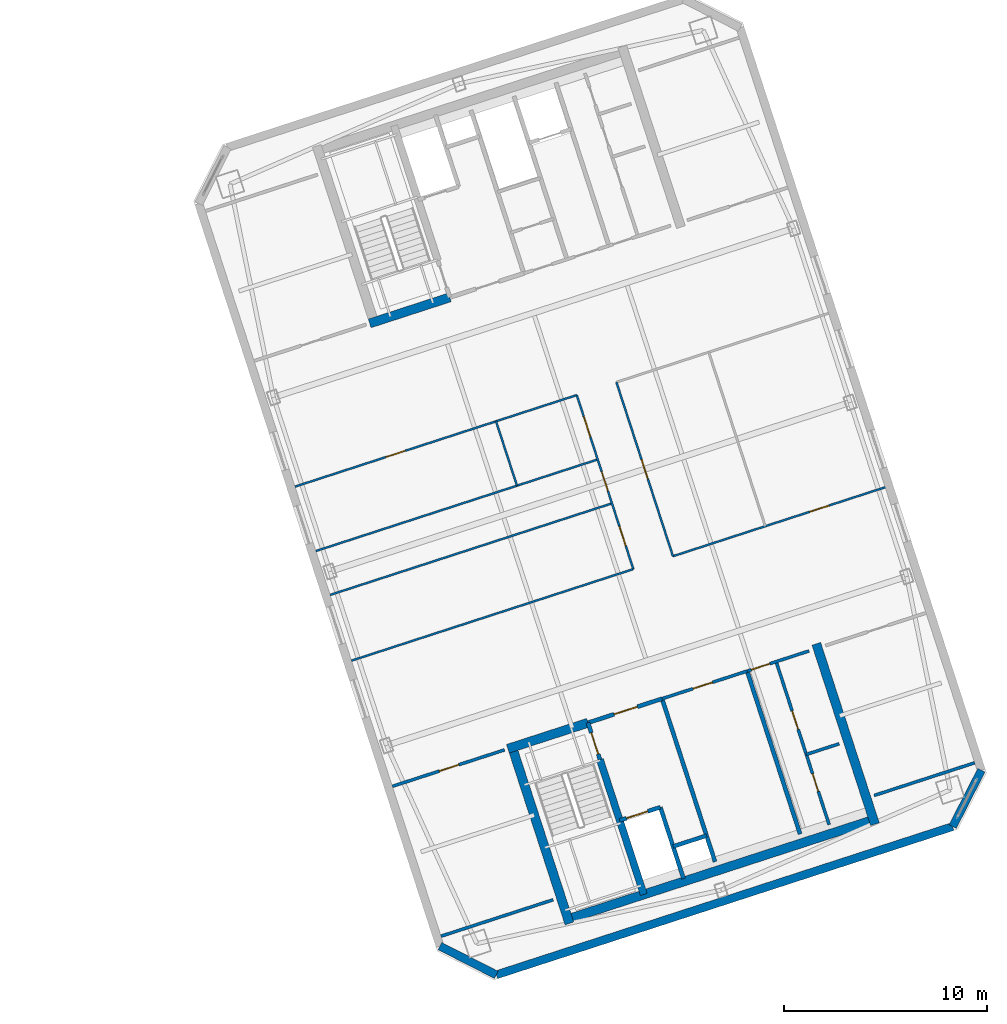
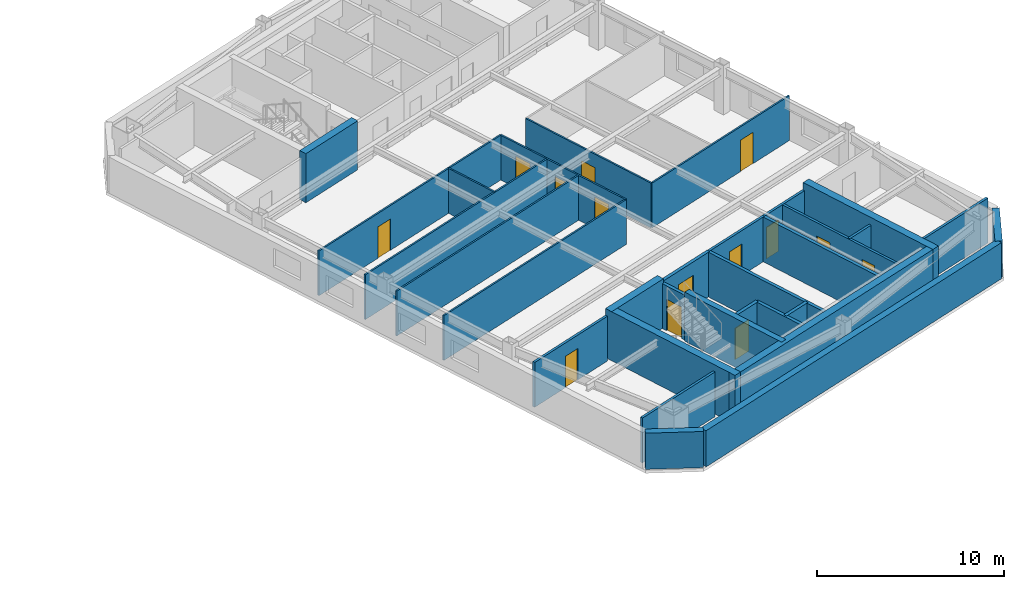
# One storey, part 15 of 20: 31 walls, 14 doors, 14 openings.
"""IFC4 building model written with IfcOpenShell, lengths in metres."""

import ifcopenshell
import ifcopenshell.guid

model = None  # the IFC model being written
_history = None  # IfcOwnerHistory: only IFC2X3 demands one
_inside = {}  # id of a spatial element -> (the spatial element, [elements in it])
_under = {}  # id of a project, library or spatial element -> (it, [spatial elements below it])
_declared = {}  # id of a project -> (the project, [libraries it declares])
_typed = {}  # id of a type object -> (the type object, [elements of that type])
_made_of = {}  # id of a material, layer set ... -> (it, [elements and type objects made of it])


def new_model(schema):
    """Start an empty IFC model of exactly this schema.

    Asked for "IFC4X3", IfcOpenShell would pick the latest addendum, in which some entities
    have other attributes; the version numbers below select the first issue.
    IFC2X3 requires an IfcOwnerHistory on every rooted entity: one is made here for all.
    """
    global model, _history
    if schema == "IFC4X3":
        model = ifcopenshell.file(schema_version=(4, 3, 0, 0))
    else:
        model = ifcopenshell.file(schema=schema)
    _inside.clear()
    _under.clear()
    _declared.clear()
    _typed.clear()
    _made_of.clear()
    _history = None
    if model.schema == "IFC2X3":
        org = make("IfcOrganization", Name="unknown")
        user = make(
            "IfcPersonAndOrganization",
            ThePerson=make("IfcPerson", FamilyName="unknown"),
            TheOrganization=org,
        )
        app = make(
            "IfcApplication",
            ApplicationDeveloper=org,
            Version="unknown",
            ApplicationFullName="unknown",
            ApplicationIdentifier="unknown",
        )
        _history = make(
            "IfcOwnerHistory",
            OwningUser=user,
            OwningApplication=app,
            ChangeAction="ADDED",
            CreationDate=0,
        )
    return model


def make(cls, **values):
    """One entity of the class cls with the attributes given. An attribute that is None is left unset."""
    return model.create_entity(
        cls, **{name: value for name, value in values.items() if value is not None}
    )


def rooted(cls, **values):
    """An entity with a GlobalId (a new one), such as an element, a storey or a relation."""
    return make(cls, GlobalId=ifcopenshell.guid.new(), OwnerHistory=_history, **values)


def si_unit(unit_type, name, prefix=None):
    """IfcSIUnit, for example si_unit("LENGTHUNIT", "METRE", prefix="MILLI")."""
    return make("IfcSIUnit", UnitType=unit_type, Prefix=prefix, Name=name)


def assignment(units):
    """IfcUnitAssignment: the units of a project."""
    return None if units is None else make("IfcUnitAssignment", Units=units)


def point(xyz):
    """IfcCartesianPoint."""
    return None if xyz is None else make("IfcCartesianPoint", Coordinates=xyz)


def direction(xyz):
    """IfcDirection."""
    return None if xyz is None else make("IfcDirection", DirectionRatios=xyz)


def frame(location, z_axis=None, x_axis=None):
    """IfcAxis2Placement3D, a coordinate frame: its origin and axes. An axis left out is left unset."""
    return make(
        "IfcAxis2Placement3D",
        Location=point(location),
        Axis=direction(z_axis),
        RefDirection=direction(x_axis),
    )


def frame_2d(location, x_axis=None):
    """IfcAxis2Placement2D, a coordinate frame in the plane: its origin and x axis."""
    return make(
        "IfcAxis2Placement2D", Location=point(location), RefDirection=direction(x_axis)
    )


def origin():
    """The frame at (0, 0, 0) with its axes left unset."""
    return frame((0.0, 0.0, 0.0))


def place(relative_to, where):
    """IfcLocalPlacement: puts the frame where relative to a parent placement (None: the world)."""
    return make(
        "IfcLocalPlacement", PlacementRelTo=relative_to, RelativePlacement=where
    )


def context(
    kind, dimensions, precision=None, world=None, true_north=None, identifier=None
):
    """IfcGeometricRepresentationContext, for example the 3D "Model" context."""
    return make(
        "IfcGeometricRepresentationContext",
        ContextIdentifier=identifier,
        ContextType=kind,
        CoordinateSpaceDimension=dimensions,
        Precision=precision,
        WorldCoordinateSystem=world,
        TrueNorth=true_north,
    )


def subcontext(parent, identifier, kind, view, scale=None):
    """IfcGeometricRepresentationSubContext, for example "Body" below "Model"."""
    return make(
        "IfcGeometricRepresentationSubContext",
        ContextIdentifier=identifier,
        ContextType=kind,
        ParentContext=parent,
        TargetScale=scale,
        TargetView=view,
    )


def project(units=None, contexts=None):
    """IfcProject with its units and contexts."""
    return rooted(
        "IfcProject",
        Name="project",
        RepresentationContexts=contexts,
        UnitsInContext=assignment(units),
    )


def spatial(cls, under=None, at=None, **own):
    """A site, building, storey or space (cls), placed at a placement, below another one or the project."""
    s = rooted(cls, ObjectPlacement=at, **own)
    if under is not None:
        _under.setdefault(under.id(), (under, []))[1].append(s)
    return s


def profile(cls, at=None, kind="AREA", **sizes):
    """A parametric profile (cls). Its sizes go by their IFC names, for example OverallWidth=200.0."""
    return make(cls, ProfileType=kind, Position=at, **sizes)


def rectangle(**sizes):
    """IfcRectangleProfileDef."""
    return profile("IfcRectangleProfileDef", **sizes)


def extrude(swept, where, along, depth):
    """IfcExtrudedAreaSolid: the profile swept, set in the frame where, extruded along a direction by depth."""
    return make(
        "IfcExtrudedAreaSolid",
        SweptArea=swept,
        Position=where,
        ExtrudedDirection=direction(along),
        Depth=depth,
    )


def shape(context_of_items, identifier, shape_type, items):
    """IfcShapeRepresentation: the items that make up one representation, for example the "Body"."""
    return make(
        "IfcShapeRepresentation",
        ContextOfItems=context_of_items,
        RepresentationIdentifier=identifier,
        RepresentationType=shape_type,
        Items=items,
    )


def material(Name=None, Category=None):
    """IfcMaterial."""
    return make("IfcMaterial", Name=Name, Category=Category)


def layer(
    of_material, thickness, ventilated=None, Name=None, Category=None, Priority=None
):
    """IfcMaterialLayer: one layer of a wall or slab, of a material (None: an air gap)."""
    return make(
        "IfcMaterialLayer",
        Material=of_material,
        LayerThickness=thickness,
        IsVentilated=ventilated,
        Name=Name,
        Category=Category,
        Priority=Priority,
    )


def layer_set(layers, Name=None):
    """IfcMaterialLayerSet."""
    return make("IfcMaterialLayerSet", MaterialLayers=layers, LayerSetName=Name)


def made_of(thing, what):
    """Note that an element or type object is made of a material, layer set ...; save() writes the relation."""
    if what is not None:
        _made_of.setdefault(what.id(), (what, []))[1].append(thing)
    return thing


def type_object(cls, material=None, **own):
    """A type object (cls), such as IfcWallType, which elements share."""
    return made_of(rooted(cls, **own), material)


def element(
    cls,
    number,
    at=None,
    inside=None,
    cuts=None,
    type_object=None,
    material=None,
    context=None,
    identifier="Body",
    shape_type=None,
    held_by="IfcProductDefinitionShape",
    body=None,
    shapes=None,
    **own,
):
    """One element of the class cls, such as IfcWall. Its Tag is "e" and its number.

    at: its placement. inside: the storey or other place that contains it. cuts: it is an
    opening in that element (IfcRelVoidsElement). A single representation is given by context,
    identifier, shape_type and body (its items); several are given by shapes. held_by: the class
    of the entity that holds the representations. save() writes the other relations.
    """
    e = rooted(cls, Tag="e%d" % number, ObjectPlacement=at, **own)
    if body is not None:
        shapes = [shape(context, identifier, shape_type, body)]
    if shapes is not None:
        e.Representation = make(held_by, Representations=shapes)
    if inside is not None:
        _inside.setdefault(inside.id(), (inside, []))[1].append(e)
    if cuts is not None:
        rooted(
            "IfcRelVoidsElement", RelatingBuildingElement=cuts, RelatedOpeningElement=e
        )
    if type_object is not None:
        _typed.setdefault(type_object.id(), (type_object, []))[1].append(e)
    return made_of(e, material)


def fill(opening, filler):
    """IfcRelFillsElement: the door or window that sits in an opening."""
    return rooted(
        "IfcRelFillsElement",
        RelatingOpeningElement=opening,
        RelatedBuildingElement=filler,
    )


def aggregate(whole, parts):
    """IfcRelAggregates: a whole, such as a stair, and the parts it consists of."""
    return rooted("IfcRelAggregates", RelatingObject=whole, RelatedObjects=parts)


def save(model, path):
    """Write the relations noted so far, then the file.

    IfcRelAggregates (storeys below a building ...), IfcRelContainedInSpatialStructure (elements
    in a storey), IfcRelDefinesByType, IfcRelAssociatesMaterial and IfcRelDeclares: one each for
    every whole, place, type object, material and project.
    """
    for whole, parts in _under.values():
        aggregate(whole, parts)
    for where, things in _inside.values():
        rooted(
            "IfcRelContainedInSpatialStructure",
            RelatedElements=things,
            RelatingStructure=where,
        )
    for kind, things in _typed.values():
        rooted("IfcRelDefinesByType", RelatedObjects=things, RelatingType=kind)
    for what, things in _made_of.values():
        rooted("IfcRelAssociatesMaterial", RelatedObjects=things, RelatingMaterial=what)
    for by, libraries in _declared.values():
        rooted("IfcRelDeclares", RelatingContext=by, RelatedDefinitions=libraries)
    model.write(path)


model = new_model("IFC4")

# Units and contexts
model_context = context("Model", 3, precision=1e-05, world=origin(), true_north=direction((0.0, 1.0)))
body_context = subcontext(model_context, "Body", "Model", "MODEL_VIEW")
ifc_project = project(units=[si_unit("LENGTHUNIT", "METRE"), si_unit("AREAUNIT", "SQUARE_METRE"), si_unit("VOLUMEUNIT", "CUBIC_METRE"), si_unit("PLANEANGLEUNIT", "RADIAN"), si_unit("MASSUNIT", "GRAM", prefix="KILO")], contexts=[model_context])

# Site, building, storey
site_placement = place(None, origin())
site = spatial("IfcSite", under=ifc_project, at=site_placement, CompositionType="ELEMENT")
building_placement = place(site_placement, origin())
building = spatial("IfcBuilding", under=site, at=building_placement, Name="Qiaolan Cultural Towers", CompositionType="ELEMENT")
storey_placement = place(building_placement, frame((0.0, 0.0, 244.0)))
storey = spatial("IfcBuildingStorey", under=building, at=storey_placement, Name="L66", CompositionType="ELEMENT", Elevation=244.0)

# Walls
ifc_material_1 = material(Name="Concrete C50", Category="concrete")
ifc_layer_1 = layer(ifc_material_1, 0.35009765625)
ifc_layer_set_1 = layer_set([ifc_layer_1], Name="Concrete C50")
wall_type_1 = type_object("IfcWallType", Name="WL-CORE-350", PredefinedType="SHEAR", material=ifc_layer_set_1)
wall_1_placement = place(storey_placement, frame((90.486328125, 20.59423828125, 0.0), z_axis=(0.0, 0.0, 1.0), x_axis=(0.309020428229, -0.951055400562, 0.0)))
element("IfcWall", 1, at=wall_1_placement, inside=storey, type_object=wall_type_1, Name="L66 T2-CS Stair Core Dividing Web", PredefinedType="SHEAR", context=body_context, shape_type="SweptSolid", body=[
    extrude(rectangle(XDim=6.97998046875, YDim=0.35009765625, at=frame_2d((3.489990234375, 0.0))), origin(), (0.0, 0.0, 1.0), 3.199951171875),
])
ifc_material_2 = material(Name="Concrete C50", Category="concrete")
ifc_layer_2 = layer(ifc_material_2, 0.449951171875)
ifc_layer_set_2 = layer_set([ifc_layer_2], Name="Concrete C50")
wall_type_2 = type_object("IfcWallType", Name="WL-CORE-450", PredefinedType="SHEAR", material=ifc_layer_set_2)
wall_2_placement = place(storey_placement, frame((88.701171875, 12.675048828125, 0.0), z_axis=(0.0, 0.0, 1.0), x_axis=(0.95105824505, 0.309011673763, 0.0)))
element("IfcWall", 2, at=wall_2_placement, inside=storey, type_object=wall_type_2, Name="L66 T2-CS Outer Core Shear Wall", PredefinedType="SHEAR", context=body_context, shape_type="SweptSolid", body=[
    extrude(rectangle(XDim=16.250244140625, YDim=0.449951171875, at=frame_2d((8.125, 0.0))), origin(), (0.0, 0.0, 1.0), 3.199951171875),
])
for number, where, z_axis, x_axis, name in (
    (3, (86.1015625, 21.40380859375, 0.0), (0.0, 0.0, 1.0), (0.309035778627, -0.951050412717, 0.0), "L66 T2-CS West Core Shear Wall"),
    (4, (101.12841796875, 26.286376953125, 0.0), (0.0, 0.0, 1.0), (0.309004419953, -0.951060601881, 0.0), "L66 T2-CS East Core Shear Wall"),
):
    element("IfcWall", number, at=place(storey_placement, frame(where, z_axis=z_axis, x_axis=x_axis)), inside=storey, type_object=wall_type_2, Name=name, PredefinedType="SHEAR", context=body_context, shape_type="SweptSolid", body=[
        extrude(rectangle(XDim=9.330078125, YDim=0.449951171875, at=frame_2d((4.6650390625, 0.0))), origin(), (0.0, 0.0, 1.0), 3.199951171875),
    ])
for number, where, z_axis, x_axis, name in (
    (5, (85.957275390625, 21.120361328125, 0.0), (0.0, 0.0, 1.0), (0.951064796122, 0.308991510526, 0.0), "L66 T2-CS Stair Front Shear Wall"),
    (6, (79.15869140625, 42.04345703125, 0.0), (0.0, 0.0, 1.0), (0.951047485828, 0.309044785913, 0.0), "L66 T2-CN Stair Front Shear Wall"),
):
    element("IfcWall", number, at=place(storey_placement, frame(where, z_axis=z_axis, x_axis=x_axis)), inside=storey, type_object=wall_type_2, Name=name, PredefinedType="SHEAR", context=body_context, shape_type="SweptSolid", body=[
        extrude(rectangle(XDim=4.14501953125, YDim=0.449951171875, at=frame_2d((2.072509765625, 0.0))), origin(), (0.0, 0.0, 1.0), 3.199951171875),
    ])
ifc_material_3 = material(Name="Precast Concrete C50 Honed Stone Pier", Category="masonry")
ifc_layer_3 = layer(ifc_material_3, 0.39990234375)
ifc_layer_set_3 = layer_set([ifc_layer_3], Name="Precast Concrete C50 Honed Stone Pier")
wall_type_3 = type_object("IfcWallType", Name="WL-EXT-PIER-400", PredefinedType="SOLIDWALL", material=ifc_layer_set_3)
wall_3_placement = place(storey_placement, frame((109.247802734375, 20.06591796875, 0.0), z_axis=(0.0, 0.0, 1.0), x_axis=(-0.453949291228, -0.891027519774, 0.0)))
element("IfcWall", 7, at=wall_3_placement, inside=storey, type_object=wall_type_3, Name="L66 East Tower Precast Pier Facade Wall F6", PredefinedType="SOLIDWALL", context=body_context, shape_type="SweptSolid", body=[
    extrude(rectangle(XDim=3.111328125, YDim=0.39990234375, at=frame_2d((1.5556640625, 0.0))), origin(), (0.0, 0.0, 1.0), 2.360107421875),
])
wall_4_placement = place(storey_placement, frame((107.83544921875, 17.293701171875, 0.0), z_axis=(0.0, 0.0, 1.0), x_axis=(-0.951058012937, -0.309012388148, 0.0)))
element("IfcWall", 8, at=wall_4_placement, inside=storey, type_object=wall_type_3, Name="L66 East Tower Precast Pier Facade Wall F7", PredefinedType="SOLIDWALL", context=body_context, shape_type="SweptSolid", body=[
    extrude(rectangle(XDim=23.60009765625, YDim=0.39990234375, at=frame_2d((11.800048828125, 0.0))), origin(), (0.0, 0.0, 1.0), 2.360107421875),
])
wall_5_placement = place(storey_placement, frame((85.390380859375, 10.0009765625, 0.0), z_axis=(0.0, 0.0, 1.0), x_axis=(-0.890979603174, 0.454043331334, 0.0)))
element("IfcWall", 9, at=wall_5_placement, inside=storey, type_object=wall_type_3, Name="L66 East Tower Precast Pier Facade Wall F8", PredefinedType="SOLIDWALL", context=body_context, shape_type="SweptSolid", body=[
    extrude(rectangle(XDim=3.111083984375, YDim=0.39990234375, at=frame_2d((1.5556640625, 0.0))), origin(), (0.0, 0.0, 1.0), 2.360107421875),
])

# Wall, opening, door
ifc_material_4 = material(Name="Concrete C35 Fire Wall", Category="concrete")
ifc_layer_4 = layer(ifc_material_4, 0.199951171875)
ifc_layer_set_4 = layer_set([ifc_layer_4], Name="Concrete C35 Fire Wall")
wall_type_4 = type_object("IfcWallType", Name="WL-FIRE-200", PredefinedType="PARTITIONING", material=ifc_layer_set_4)
wall_6_placement = place(storey_placement, frame((89.8994140625, 22.401123046875, 0.0), z_axis=(0.0, 0.0, 1.0), x_axis=(0.308932062672, -0.951084108086, 0.0)))
wall_6 = element("IfcWall", 10, at=wall_6_placement, inside=storey, type_object=wall_type_4, Name="L66 T2-CS Smokeproof Stair Entry Wall", PredefinedType="PARTITIONING", context=body_context, shape_type="SweptSolid", body=[
    extrude(rectangle(XDim=1.89990234375, YDim=0.199951171875, at=frame_2d((0.949951171875, 0.0))), origin(), (0.0, 0.0, 1.0), 2.925048828125),
])
opening_1_placement = place(wall_6_placement, frame((0.52001953125, 0.0, 0.0)))
opening_1 = element("IfcOpeningElement", 11, at=opening_1_placement, cuts=wall_6, Name="Opening FD-04", PredefinedType="OPENING", context=body_context, shape_type="SweptSolid", body=[
    extrude(rectangle(XDim=1.10009765625, YDim=2.050048828125, at=frame_2d((0.550048828125, 1.02490234375))), frame((0.0, 0.10986328125, 0.0), z_axis=(0.0, -1.0, 0.0), x_axis=(1.0, 0.0, 0.0)), (0.0, 0.0, 1.0), 0.219970703125),
])
ifc_material_5 = material(Name="Galvanized Steel Command Fire Door", Category="steel")
door_type_1 = type_object("IfcDoorType", Name="DR-FD90-1100", OperationType="NOTDEFINED", PredefinedType="DOOR", material=ifc_material_5)
door_1_placement = place(opening_1_placement, origin())
door_1 = element("IfcDoor", 12, at=door_1_placement, inside=storey, type_object=door_type_1, Name="L66 ST-E1 Smokeproof Stair Fire Door", OperationType="SINGLE_SWING_LEFT", OverallHeight=2.050048828125, OverallWidth=1.10009765625, PredefinedType="DOOR", context=body_context, shape_type="SweptSolid", body=[
    extrude(rectangle(XDim=1.10009765625, YDim=2.050048828125, at=frame_2d((0.550048828125, 1.02490234375))), frame((0.0, 0.02490234375, 0.0), z_axis=(0.0, -1.0, 0.0), x_axis=(1.0, 0.0, 0.0)), (0.0, 0.0, 1.0), 0.050048828125),
])
fill(opening_1, door_1)

# Wall
wall_7_placement = place(storey_placement, frame((93.541748046875, 23.584716796875, 0.0), z_axis=(0.0, 0.0, 1.0), x_axis=(0.309042196757, -0.951048327176, 0.0)))
element("IfcWall", 13, at=wall_7_placement, inside=storey, type_object=wall_type_4, Name="L66 T2-CS Firefighting Zone Wall", PredefinedType="PARTITIONING", context=body_context, shape_type="SweptSolid", body=[
    extrude(rectangle(XDim=8.429931640625, YDim=0.199951171875, at=frame_2d((4.21484375, 0.0))), origin(), (0.0, 0.0, 1.0), 2.925048828125),
])

# Wall, opening, door
wall_8_placement = place(storey_placement, frame((89.8994140625, 22.401123046875, 0.0), z_axis=(0.0, 0.0, 1.0), x_axis=(0.951046716504, 0.309047153403, 0.0)))
wall_8 = element("IfcWall", 14, at=wall_8_placement, inside=storey, type_object=wall_type_4, Name="L66 T2-CS Firefighting Lobby Front Wall", PredefinedType="PARTITIONING", context=body_context, shape_type="SweptSolid", body=[
    extrude(rectangle(XDim=3.829833984375, YDim=0.199951171875, at=frame_2d((1.9150390625, 0.0))), origin(), (0.0, 0.0, 1.0), 2.925048828125),
])
opening_2_placement = place(wall_8_placement, frame((1.35009765625, 0.0, 0.0)))
opening_2 = element("IfcOpeningElement", 15, at=opening_2_placement, cuts=wall_8, Name="Opening FD-03", PredefinedType="OPENING", context=body_context, shape_type="SweptSolid", body=[
    extrude(rectangle(XDim=1.199951171875, YDim=2.050048828125, at=frame_2d((0.60009765625, 1.02490234375))), frame((0.0, 0.10986328125, 0.0), z_axis=(0.0, -1.0, 0.0), x_axis=(1.0, 0.0, 0.0)), (0.0, 0.0, 1.0), 0.219970703125),
])
ifc_material_6 = material(Name="Galvanized Steel Smokeproof Lobby Fire Door", Category="steel")
door_type_2 = type_object("IfcDoorType", Name="DR-FD90-1200", OperationType="NOTDEFINED", PredefinedType="DOOR", material=ifc_material_6)
door_2_placement = place(opening_2_placement, origin())
door_2 = element("IfcDoor", 16, at=door_2_placement, inside=storey, type_object=door_type_2, Name="L66 FFL-E1 Firefighting Lobby Fire Door", OperationType="SINGLE_SWING_LEFT", OverallHeight=2.050048828125, OverallWidth=1.199951171875, PredefinedType="DOOR", context=body_context, shape_type="SweptSolid", body=[
    extrude(rectangle(XDim=1.199951171875, YDim=2.050048828125, at=frame_2d((0.60009765625, 1.02490234375))), frame((0.0, 0.02490234375, 0.0), z_axis=(0.0, -1.0, 0.0), x_axis=(1.0, 0.0, 0.0)), (0.0, 0.0, 1.0), 0.050048828125),
])
fill(opening_2, door_2)

wall_9_placement = place(storey_placement, frame((91.459716796875, 17.598388671875, 0.0), z_axis=(0.0, 0.0, 1.0), x_axis=(0.951062257173, 0.308999325213, 0.0)))
wall_9 = element("IfcWall", 17, at=wall_9_placement, inside=storey, type_object=wall_type_4, Name="L66 T2-CS Firefighting Shaft Front Wall", PredefinedType="PARTITIONING", context=body_context, shape_type="SweptSolid", body=[
    extrude(rectangle(XDim=2.10009765625, YDim=0.199951171875, at=frame_2d((1.050048828125, 0.0))), origin(), (0.0, 0.0, 1.0), 2.925048828125),
])
opening_3_placement = place(wall_9_placement, frame((0.35009765625, 0.0, 0.0)))
opening_3 = element("IfcOpeningElement", 18, at=opening_3_placement, cuts=wall_9, Name="Opening LD-01", PredefinedType="OPENING", context=body_context, shape_type="SweptSolid", body=[
    extrude(rectangle(XDim=1.10009765625, YDim=2.050048828125, at=frame_2d((0.550048828125, 1.02490234375))), frame((0.0, 0.10986328125, 0.0), z_axis=(0.0, -1.0, 0.0), x_axis=(1.0, 0.0, 0.0)), (0.0, 0.0, 1.0), 0.219970703125),
])
ifc_material_7 = material(Name="Brushed Stainless Steel S30408 Centre-Parting Lift Landing Door", Category="steel")
door_type_3 = type_object("IfcDoorType", Name="DR-LIFT-1100", OperationType="NOTDEFINED", PredefinedType="DOOR", material=ifc_material_7)
door_3_placement = place(opening_3_placement, origin())
door_3 = element("IfcDoor", 19, at=door_3_placement, inside=storey, type_object=door_type_3, Name="L66 FFL-E1 Firefighting Lift Landing Door", OperationType="DOUBLE_DOOR_SLIDING", OverallHeight=2.050048828125, OverallWidth=1.10009765625, PredefinedType="DOOR", context=body_context, shape_type="SweptSolid", body=[
    extrude(rectangle(XDim=1.10009765625, YDim=2.050048828125, at=frame_2d((0.550048828125, 1.02490234375))), frame((0.0, 0.02490234375, 0.0), z_axis=(0.0, -1.0, 0.0), x_axis=(1.0, 0.0, 0.0)), (0.0, 0.0, 1.0), 0.050048828125),
])
fill(opening_3, door_3)

# Walls
wall_10_placement = place(storey_placement, frame((93.45703125, 18.247314453125, 0.0), z_axis=(0.0, 0.0, 1.0), x_axis=(0.3089935693, -0.951064127245, 0.0)))
element("IfcWall", 20, at=wall_10_placement, inside=storey, type_object=wall_type_4, Name="L66 T2-CS Firefighting Hoistway East Wall", PredefinedType="PARTITIONING", context=body_context, shape_type="SweptSolid", body=[
    extrude(rectangle(XDim=3.7001953125, YDim=0.199951171875, at=frame_2d((1.85009765625, 0.0))), origin(), (0.0, 0.0, 1.0), 2.925048828125),
])
wall_11_placement = place(storey_placement, frame((94.08447265625, 16.316650390625, 0.0), z_axis=(0.0, 0.0, 1.0), x_axis=(0.951041328149, 0.309063734775, 0.0)))
element("IfcWall", 21, at=wall_11_placement, inside=storey, type_object=wall_type_4, Name="L66 T2-CS Pressurization Shaft Front Wall", PredefinedType="PARTITIONING", context=body_context, shape_type="SweptSolid", body=[
    extrude(rectangle(XDim=1.72998046875, YDim=0.199951171875, at=frame_2d((0.864990234375, 0.0))), origin(), (0.0, 0.0, 1.0), 2.925048828125),
])
wall_12_placement = place(storey_placement, frame((97.7265625, 24.9443359375, 0.0), z_axis=(0.0, 0.0, 1.0), x_axis=(0.309016001439, -0.951056838919, 0.0)))
element("IfcWall", 22, at=wall_12_placement, inside=storey, type_object=wall_type_4, Name="L66 T2-CS Lift Core East Wall", PredefinedType="PARTITIONING", context=body_context, shape_type="SweptSolid", body=[
    extrude(rectangle(XDim=8.429931640625, YDim=0.199951171875, at=frame_2d((4.21484375, 0.0))), origin(), (0.0, 0.0, 1.0), 2.925048828125),
])
ifc_material_8 = material(Name="Acoustic Double-Glazed Partition Frame", Category="glass")
ifc_layer_5 = layer(ifc_material_8, 0.10009765625)
ifc_layer_set_5 = layer_set([ifc_layer_5], Name="Acoustic Double-Glazed Partition Frame")
wall_type_5 = type_object("IfcWallType", Name="WL-GLAZED-100", PredefinedType="MOVABLE", material=ifc_layer_set_5)
wall_13_placement = place(storey_placement, frame((78.26611328125, 25.455810546875, 0.0), z_axis=(0.0, 0.0, 1.0), x_axis=(0.951056346912, 0.309017515681, 0.0)))
element("IfcWall", 23, at=wall_13_placement, inside=storey, type_object=wall_type_5, Name="L66 T2 South Foyer West Wall", PredefinedType="MOVABLE", context=body_context, shape_type="SweptSolid", body=[
    extrude(rectangle(XDim=14.574951171875, YDim=0.10009765625, at=frame_2d((7.28759765625, 0.0))), origin(), (0.0, 0.0, 1.0), 2.925048828125),
])

# Wall, opening, door
wall_14_placement = place(storey_placement, frame((94.077392578125, 30.59326171875, 0.0), z_axis=(0.0, 0.0, 1.0), x_axis=(0.951058423821, 0.309011123554, 0.0)))
wall_14 = element("IfcWall", 24, at=wall_14_placement, inside=storey, type_object=wall_type_5, Name="L66 T2 South Foyer East Wall", PredefinedType="MOVABLE", context=body_context, shape_type="SweptSolid", body=[
    extrude(rectangle(XDim=10.974853515625, YDim=0.10009765625, at=frame_2d((5.4873046875, 0.0))), origin(), (0.0, 0.0, 1.0), 2.925048828125),
])
opening_4_placement = place(wall_14_placement, frame((7.06494140625, 0.0, 0.0)))
opening_4 = element("IfcOpeningElement", 25, at=opening_4_placement, cuts=wall_14, Name="Opening ID-04", PredefinedType="OPENING", context=body_context, shape_type="SweptSolid", body=[
    extrude(rectangle(XDim=1.0, YDim=2.050048828125, at=frame_2d((0.5, 1.02490234375))), frame((0.0, 0.06005859375, 0.0), z_axis=(0.0, -1.0, 0.0), x_axis=(1.0, 0.0, 0.0)), (0.0, 0.0, 1.0), 0.1201171875),
])
ifc_material_9 = material(Name="Oak Veneer Acoustic Office Door", Category="timber")
door_type_4 = type_object("IfcDoorType", Name="DR-INT-1000", OperationType="NOTDEFINED", PredefinedType="DOOR", material=ifc_material_9)
door_4_placement = place(opening_4_placement, origin())
door_4 = element("IfcDoor", 26, at=door_4_placement, inside=storey, type_object=door_type_4, Name="L66 T2 Sky Club Lounge Door", OperationType="SINGLE_SWING_RIGHT", OverallHeight=2.050048828125, OverallWidth=1.0, PredefinedType="DOOR", context=body_context, shape_type="SweptSolid", body=[
    extrude(rectangle(XDim=1.0, YDim=2.050048828125, at=frame_2d((0.5, 1.02490234375))), frame((0.0, 0.02490234375, 0.0), z_axis=(0.0, -1.0, 0.0), x_axis=(1.0, 0.0, 0.0)), (0.0, 0.0, 1.0), 0.050048828125),
])
fill(opening_4, door_4)

wall_15_placement = place(storey_placement, frame((75.48486328125, 34.015380859375, 0.0), z_axis=(0.0, 0.0, 1.0), x_axis=(0.951056346912, 0.309017515681, 0.0)))
wall_15 = element("IfcWall", 27, at=wall_15_placement, inside=storey, type_object=wall_type_5, Name="L66 T2 North Foyer West Wall", PredefinedType="MOVABLE", context=body_context, shape_type="SweptSolid", body=[
    extrude(rectangle(XDim=14.574951171875, YDim=0.10009765625, at=frame_2d((7.28759765625, 0.0))), origin(), (0.0, 0.0, 1.0), 2.925048828125),
])
opening_5_placement = place(wall_15_placement, frame((4.699951171875, 0.0, 0.0)))
opening_5 = element("IfcOpeningElement", 28, at=opening_5_placement, cuts=wall_15, Name="Opening ID-04", PredefinedType="OPENING", context=body_context, shape_type="SweptSolid", body=[
    extrude(rectangle(XDim=1.0, YDim=2.050048828125, at=frame_2d((0.5, 1.02490234375))), frame((0.0, 0.06005859375, 0.0), z_axis=(0.0, -1.0, 0.0), x_axis=(1.0, 0.0, 0.0)), (0.0, 0.0, 1.0), 0.1201171875),
])
door_5_placement = place(opening_5_placement, origin())
door_5 = element("IfcDoor", 29, at=door_5_placement, inside=storey, type_object=door_type_4, Name="L66 T2 Edition Bookshop Door", OperationType="SINGLE_SWING_LEFT", OverallHeight=2.050048828125, OverallWidth=1.0, PredefinedType="DOOR", context=body_context, shape_type="SweptSolid", body=[
    extrude(rectangle(XDim=1.0, YDim=2.050048828125, at=frame_2d((0.5, 1.02490234375))), frame((0.0, 0.02490234375, 0.0), z_axis=(0.0, -1.0, 0.0), x_axis=(1.0, 0.0, 0.0)), (0.0, 0.0, 1.0), 0.050048828125),
])
fill(opening_5, door_5)

# Wall, openings, doors
wall_16_placement = place(storey_placement, frame((92.127685546875, 29.959716796875, 0.0), z_axis=(0.0, 0.0, 1.0), x_axis=(-0.309024734286, 0.951054001411, 0.0)))
wall_16 = element("IfcWall", 30, at=wall_16_placement, inside=storey, type_object=wall_type_5, Name="L66 T2 Central Spine West Wall", PredefinedType="MOVABLE", context=body_context, shape_type="SweptSolid", body=[
    extrude(rectangle(XDim=9.0, YDim=0.10009765625, at=frame_2d((4.5, 0.0))), origin(), (0.0, 0.0, 1.0), 2.925048828125),
])
opening_6_placement = place(wall_16_placement, frame((1.199951171875, 0.0, 0.0)))
opening_6 = element("IfcOpeningElement", 31, at=opening_6_placement, cuts=wall_16, Name="Opening ID-04", PredefinedType="OPENING", context=body_context, shape_type="SweptSolid", body=[
    extrude(rectangle(XDim=1.0, YDim=2.050048828125, at=frame_2d((0.5, 1.02490234375))), frame((0.0, 0.06005859375, 0.0), z_axis=(0.0, -1.0, 0.0), x_axis=(1.0, 0.0, 0.0)), (0.0, 0.0, 1.0), 0.1201171875),
])
opening_7_placement = place(wall_16_placement, frame((4.034912109375, 0.0, 0.0)))
opening_7 = element("IfcOpeningElement", 32, at=opening_7_placement, cuts=wall_16, Name="Opening ID-04", PredefinedType="OPENING", context=body_context, shape_type="SweptSolid", body=[
    extrude(rectangle(XDim=1.0, YDim=2.050048828125, at=frame_2d((0.5, 1.02490234375))), frame((0.0, 0.06005859375, 0.0), z_axis=(0.0, -1.0, 0.0), x_axis=(1.0, 0.0, 0.0)), (0.0, 0.0, 1.0), 0.1201171875),
])
opening_8_placement = place(wall_16_placement, frame((6.8349609375, 0.0, 0.0)))
opening_8 = element("IfcOpeningElement", 33, at=opening_8_placement, cuts=wall_16, Name="Opening ID-07", PredefinedType="OPENING", context=body_context, shape_type="SweptSolid", body=[
    extrude(rectangle(XDim=1.050048828125, YDim=2.050048828125, at=frame_2d((0.52490234375, 1.02490234375))), frame((0.0, 0.06005859375, 0.0), z_axis=(0.0, -1.0, 0.0), x_axis=(1.0, 0.0, 0.0)), (0.0, 0.0, 1.0), 0.1201171875),
])
door_6_placement = place(opening_6_placement, origin())
door_6 = element("IfcDoor", 34, at=door_6_placement, inside=storey, type_object=door_type_4, Name="L66 T2 Collectors Art Gallery Door", OperationType="SINGLE_SWING_LEFT", OverallHeight=2.050048828125, OverallWidth=1.0, PredefinedType="DOOR", context=body_context, shape_type="SweptSolid", body=[
    extrude(rectangle(XDim=1.0, YDim=2.050048828125, at=frame_2d((0.5, 1.02490234375))), frame((0.0, 0.02490234375, 0.0), z_axis=(0.0, -1.0, 0.0), x_axis=(1.0, 0.0, 0.0)), (0.0, 0.0, 1.0), 0.050048828125),
])
fill(opening_6, door_6)
door_7_placement = place(opening_7_placement, origin())
door_7 = element("IfcDoor", 35, at=door_7_placement, inside=storey, type_object=door_type_4, Name="L66 T2 Collectors Art Gallery Door", OperationType="SINGLE_SWING_RIGHT", OverallHeight=2.050048828125, OverallWidth=1.0, PredefinedType="DOOR", context=body_context, shape_type="SweptSolid", body=[
    extrude(rectangle(XDim=1.0, YDim=2.050048828125, at=frame_2d((0.5, 1.02490234375))), frame((0.0, 0.02490234375, 0.0), z_axis=(0.0, -1.0, 0.0), x_axis=(1.0, 0.0, 0.0)), (0.0, 0.0, 1.0), 0.050048828125),
])
fill(opening_7, door_7)
ifc_material_10 = material(Name="Oak Veneer Consultation Door", Category="timber")
door_type_5 = type_object("IfcDoorType", Name="DR-INT-1050", OperationType="NOTDEFINED", PredefinedType="DOOR", material=ifc_material_10)
door_8_placement = place(opening_8_placement, origin())
door_8 = element("IfcDoor", 36, at=door_8_placement, inside=storey, type_object=door_type_5, Name="L66 T2 Curatorial Room Door", OperationType="SINGLE_SWING_RIGHT", OverallHeight=2.050048828125, OverallWidth=1.050048828125, PredefinedType="DOOR", context=body_context, shape_type="SweptSolid", body=[
    extrude(rectangle(XDim=1.050048828125, YDim=2.050048828125, at=frame_2d((0.52490234375, 1.02490234375))), frame((0.0, 0.02490234375, 0.0), z_axis=(0.0, -1.0, 0.0), x_axis=(1.0, 0.0, 0.0)), (0.0, 0.0, 1.0), 0.050048828125),
])
fill(opening_8, door_8)

# Wall, opening, door
wall_17_placement = place(storey_placement, frame((94.077392578125, 30.59326171875, 0.0), z_axis=(0.0, 0.0, 1.0), x_axis=(-0.309024734286, 0.951054001411, 0.0)))
wall_17 = element("IfcWall", 37, at=wall_17_placement, inside=storey, type_object=wall_type_5, Name="L66 T2 Central Spine East Wall", PredefinedType="MOVABLE", context=body_context, shape_type="SweptSolid", body=[
    extrude(rectangle(XDim=9.0, YDim=0.10009765625, at=frame_2d((4.5, 0.0))), origin(), (0.0, 0.0, 1.0), 2.925048828125),
])
opening_9_placement = place(wall_17_placement, frame((4.0, 0.0, 0.0)))
opening_9 = element("IfcOpeningElement", 38, at=opening_9_placement, cuts=wall_17, Name="Opening ID-04", PredefinedType="OPENING", context=body_context, shape_type="SweptSolid", body=[
    extrude(rectangle(XDim=1.0, YDim=2.050048828125, at=frame_2d((0.5, 1.02490234375))), frame((0.0, 0.06005859375, 0.0), z_axis=(0.0, -1.0, 0.0), x_axis=(1.0, 0.0, 0.0)), (0.0, 0.0, 1.0), 0.1201171875),
])
door_9_placement = place(opening_9_placement, origin())
door_9 = element("IfcDoor", 39, at=door_9_placement, inside=storey, type_object=door_type_4, Name="L66 T2 Sky Dining Kitchen Door", OperationType="SINGLE_SWING_LEFT", OverallHeight=2.050048828125, OverallWidth=1.0, PredefinedType="DOOR", context=body_context, shape_type="SweptSolid", body=[
    extrude(rectangle(XDim=1.0, YDim=2.050048828125, at=frame_2d((0.5, 1.02490234375))), frame((0.0, 0.02490234375, 0.0), z_axis=(0.0, -1.0, 0.0), x_axis=(1.0, 0.0, 0.0)), (0.0, 0.0, 1.0), 0.050048828125),
])
fill(opening_9, door_9)

# Walls
for number, where, z_axis, x_axis, name in (
    (40, (77.21533203125, 28.689453125, 0.0), (0.0, 0.0, 1.0), (0.951056346912, 0.309017515681, 0.0), "L66 T2 Interior Wall"),
    (41, (76.513916015625, 30.848388671875, 0.0), (0.0, 0.0, 1.0), (0.951056346912, 0.309017515681, 0.0), "L66 T2 Interior Wall"),
):
    element("IfcWall", number, at=place(storey_placement, frame(where, z_axis=z_axis, x_axis=x_axis)), inside=storey, type_object=wall_type_5, Name=name, PredefinedType="MOVABLE", context=body_context, shape_type="SweptSolid", body=[
        extrude(rectangle(XDim=14.574951171875, YDim=0.10009765625, at=frame_2d((7.28759765625, 0.0))), origin(), (0.0, 0.0, 1.0), 2.925048828125),
    ])
wall_18_placement = place(storey_placement, frame((86.40478515625, 34.06201171875, 0.0), z_axis=(0.0, 0.0, 1.0), x_axis=(-0.309026391202, 0.95105346303, 0.0)))
element("IfcWall", 42, at=wall_18_placement, inside=storey, type_object=wall_type_5, Name="L66 T2 Interior Wall", PredefinedType="MOVABLE", context=body_context, shape_type="SweptSolid", body=[
    extrude(rectangle(XDim=3.330078125, YDim=0.10009765625, at=frame_2d((1.6650390625, 0.0))), origin(), (0.0, 0.0, 1.0), 2.925048828125),
])

# Wall, opening, door
ifc_material_11 = material(Name="Autoclaved Aerated Concrete Block B06", Category="concrete")
ifc_layer_6 = layer(ifc_material_11, 0.14990234375)
ifc_layer_set_6 = layer_set([ifc_layer_6], Name="Autoclaved Aerated Concrete Block B06")
wall_type_6 = type_object("IfcWallType", Name="WL-PART-150", PredefinedType="PARTITIONING", material=ifc_layer_set_6)
wall_19_placement = place(storey_placement, frame((93.541748046875, 23.584716796875, 0.0), z_axis=(0.0, 0.0, 1.0), x_axis=(0.951063829732, 0.308994485023, 0.0)))
wall_19 = element("IfcWall", 43, at=wall_19_placement, inside=storey, type_object=wall_type_6, Name="L66 T2-CS Reclaimed Core Room Front Wall", PredefinedType="PARTITIONING", context=body_context, shape_type="SweptSolid", body=[
    extrude(rectangle(XDim=4.400146484375, YDim=0.14990234375, at=frame_2d((2.2001953125, 0.0))), origin(), (0.0, 0.0, 1.0), 2.925048828125),
])
opening_10_placement = place(wall_19_placement, frame((1.60009765625, 0.0, 0.0)))
opening_10 = element("IfcOpeningElement", 44, at=opening_10_placement, cuts=wall_19, Name="Opening ID-04", PredefinedType="OPENING", context=body_context, shape_type="SweptSolid", body=[
    extrude(rectangle(XDim=1.0, YDim=2.050048828125, at=frame_2d((0.5, 1.02490234375))), frame((0.0, 0.0849609375, 0.0), z_axis=(0.0, -1.0, 0.0), x_axis=(1.0, 0.0, 0.0)), (0.0, 0.0, 1.0), 0.169921875),
])
door_10_placement = place(opening_10_placement, origin())
door_10 = element("IfcDoor", 45, at=door_10_placement, inside=storey, type_object=door_type_4, Name="L66 Reclaimed Archive Room Door", OperationType="SINGLE_SWING_LEFT", OverallHeight=2.050048828125, OverallWidth=1.0, PredefinedType="DOOR", context=body_context, shape_type="SweptSolid", body=[
    extrude(rectangle(XDim=1.0, YDim=2.050048828125, at=frame_2d((0.5, 1.02490234375))), frame((0.0, 0.02490234375, 0.0), z_axis=(0.0, -1.0, 0.0), x_axis=(1.0, 0.0, 0.0)), (0.0, 0.0, 1.0), 0.050048828125),
])
fill(opening_10, door_10)

wall_20_placement = place(storey_placement, frame((97.7265625, 24.9443359375, 0.0), z_axis=(0.0, 0.0, 1.0), x_axis=(0.951036872128, 0.309077446369, 0.0)))
wall_20 = element("IfcWall", 46, at=wall_20_placement, inside=storey, type_object=wall_type_6, Name="L66 T2-CS Sanitary Core Front Wall", PredefinedType="PARTITIONING", context=body_context, shape_type="SweptSolid", body=[
    extrude(rectangle(XDim=3.199951171875, YDim=0.14990234375, at=frame_2d((1.60009765625, 0.0))), origin(), (0.0, 0.0, 1.0), 2.925048828125),
])
opening_11_placement = place(wall_20_placement, frame((0.219970703125, 0.0, 0.0)))
opening_11 = element("IfcOpeningElement", 47, at=opening_11_placement, cuts=wall_20, Name="Opening ID-05", PredefinedType="OPENING", context=body_context, shape_type="SweptSolid", body=[
    extrude(rectangle(XDim=0.949951171875, YDim=2.050048828125, at=frame_2d((0.47509765625, 1.02490234375))), frame((0.0, 0.0849609375, 0.0), z_axis=(0.0, -1.0, 0.0), x_axis=(1.0, 0.0, 0.0)), (0.0, 0.0, 1.0), 0.169921875),
])
ifc_material_12 = material(Name="Fire-Rated Laminate Accessible Core Door", Category="timber")
door_type_6 = type_object("IfcDoorType", Name="DR-INT-950", OperationType="NOTDEFINED", PredefinedType="DOOR", material=ifc_material_12)
door_11_placement = place(opening_11_placement, origin())
door_11 = element("IfcDoor", 48, at=door_11_placement, inside=storey, type_object=door_type_6, Name="L66 Sanitary Lobby Door", OperationType="SINGLE_SWING_LEFT", OverallHeight=2.050048828125, OverallWidth=0.949951171875, PredefinedType="DOOR", context=body_context, shape_type="SweptSolid", body=[
    extrude(rectangle(XDim=0.949951171875, YDim=2.050048828125, at=frame_2d((0.47509765625, 1.02490234375))), frame((0.0, 0.02490234375, 0.0), z_axis=(0.0, -1.0, 0.0), x_axis=(1.0, 0.0, 0.0)), (0.0, 0.0, 1.0), 0.050048828125),
])
fill(opening_11, door_11)

# Wall, openings, doors
wall_21_placement = place(storey_placement, frame((99.153076171875, 25.407958984375, 0.0), z_axis=(0.0, 0.0, 1.0), x_axis=(0.309016001439, -0.951056838919, 0.0)))
wall_21 = element("IfcWall", 49, at=wall_21_placement, inside=storey, type_object=wall_type_6, Name="L66 T2-CS Washroom Split Wall", PredefinedType="PARTITIONING", context=body_context, shape_type="SweptSolid", body=[
    extrude(rectangle(XDim=8.429931640625, YDim=0.14990234375, at=frame_2d((4.21484375, 0.0))), origin(), (0.0, 0.0, 1.0), 2.925048828125),
])
opening_12_placement = place(wall_21_placement, frame((2.550048828125, 0.0, 0.0)))
opening_12 = element("IfcOpeningElement", 50, at=opening_12_placement, cuts=wall_21, Name="Opening ID-05", PredefinedType="OPENING", context=body_context, shape_type="SweptSolid", body=[
    extrude(rectangle(XDim=0.949951171875, YDim=2.050048828125, at=frame_2d((0.47509765625, 1.02490234375))), frame((0.0, 0.0849609375, 0.0), z_axis=(0.0, -1.0, 0.0), x_axis=(1.0, 0.0, 0.0)), (0.0, 0.0, 1.0), 0.169921875),
])
opening_13_placement = place(wall_21_placement, frame((5.800048828125, 0.0, 0.0)))
opening_13 = element("IfcOpeningElement", 51, at=opening_13_placement, cuts=wall_21, Name="Opening ID-06", PredefinedType="OPENING", context=body_context, shape_type="SweptSolid", body=[
    extrude(rectangle(XDim=0.89990234375, YDim=2.050048828125, at=frame_2d((0.449951171875, 1.02490234375))), frame((0.0, 0.0849609375, 0.0), z_axis=(0.0, -1.0, 0.0), x_axis=(1.0, 0.0, 0.0)), (0.0, 0.0, 1.0), 0.169921875),
])
ifc_material_13 = material(Name="Fire-Rated Laminate Core Service Door", Category="timber")
door_type_7 = type_object("IfcDoorType", Name="DR-INT-900", OperationType="NOTDEFINED", PredefinedType="DOOR", material=ifc_material_13)
door_12_placement = place(opening_13_placement, origin())
door_12 = element("IfcDoor", 52, at=door_12_placement, inside=storey, type_object=door_type_7, Name="L66 First-Aid Room Door", OperationType="SINGLE_SWING_RIGHT", OverallHeight=2.050048828125, OverallWidth=0.89990234375, PredefinedType="DOOR", context=body_context, shape_type="SweptSolid", body=[
    extrude(rectangle(XDim=0.89990234375, YDim=2.050048828125, at=frame_2d((0.449951171875, 1.02490234375))), frame((0.0, 0.02490234375, 0.0), z_axis=(0.0, -1.0, 0.0), x_axis=(1.0, 0.0, 0.0)), (0.0, 0.0, 1.0), 0.050048828125),
])
fill(opening_13, door_12)
door_13_placement = place(opening_12_placement, origin())
door_13 = element("IfcDoor", 53, at=door_13_placement, inside=storey, type_object=door_type_6, Name="L66 Accessible Washroom Door", OperationType="SINGLE_SWING_LEFT", OverallHeight=2.050048828125, OverallWidth=0.949951171875, PredefinedType="DOOR", context=body_context, shape_type="SweptSolid", body=[
    extrude(rectangle(XDim=0.949951171875, YDim=2.050048828125, at=frame_2d((0.47509765625, 1.02490234375))), frame((0.0, 0.02490234375, 0.0), z_axis=(0.0, -1.0, 0.0), x_axis=(1.0, 0.0, 0.0)), (0.0, 0.0, 1.0), 0.050048828125),
])
fill(opening_12, door_13)

# Walls
wall_22_placement = place(storey_placement, frame((100.636474609375, 20.8427734375, 0.0), z_axis=(0.0, 0.0, 1.0), x_axis=(0.951040401051, 0.309066587596, 0.0)))
element("IfcWall", 54, at=wall_22_placement, inside=storey, type_object=wall_type_6, Name="L66 T2-CS First-Aid Wall", PredefinedType="PARTITIONING", context=body_context, shape_type="SweptSolid", body=[
    extrude(rectangle(XDim=1.699951171875, YDim=0.14990234375, at=frame_2d((0.85009765625, 0.0))), origin(), (0.0, 0.0, 1.0), 2.925048828125),
])
wall_23_placement = place(storey_placement, frame((82.66943359375, 11.9033203125, 0.0), z_axis=(0.0, 0.0, 1.0), x_axis=(0.951059431056, 0.309008023519, 0.0)))
element("IfcWall", 55, at=wall_23_placement, inside=storey, type_object=wall_type_6, Name="L66 T2 Flank Wall FLK-SW", PredefinedType="PARTITIONING", context=body_context, shape_type="SweptSolid", body=[
    extrude(rectangle(XDim=5.800048828125, YDim=0.14990234375, at=frame_2d((2.89990234375, 0.0))), origin(), (0.0, 0.0, 1.0), 2.925048828125),
])

# Wall, opening, door
wall_24_placement = place(storey_placement, frame((80.274658203125, 19.27392578125, 0.0), z_axis=(0.0, 0.0, 1.0), x_axis=(0.951059431056, 0.309008023519, 0.0)))
wall_24 = element("IfcWall", 56, at=wall_24_placement, inside=storey, type_object=wall_type_6, Name="L66 T2 Flank Front FLK-SW", PredefinedType="PARTITIONING", context=body_context, shape_type="SweptSolid", body=[
    extrude(rectangle(XDim=5.800048828125, YDim=0.14990234375, at=frame_2d((2.89990234375, 0.0))), origin(), (0.0, 0.0, 1.0), 2.925048828125),
])
opening_14_placement = place(wall_24_placement, frame((2.43603515625, 0.0, 0.0)))
opening_14 = element("IfcOpeningElement", 57, at=opening_14_placement, cuts=wall_24, Name="Opening ID-04", PredefinedType="OPENING", context=body_context, shape_type="SweptSolid", body=[
    extrude(rectangle(XDim=1.0, YDim=2.050048828125, at=frame_2d((0.5, 1.02490234375))), frame((0.0, 0.0849609375, 0.0), z_axis=(0.0, -1.0, 0.0), x_axis=(1.0, 0.0, 0.0)), (0.0, 0.0, 1.0), 0.169921875),
])
door_14_placement = place(opening_14_placement, origin())
door_14 = element("IfcDoor", 58, at=door_14_placement, inside=storey, type_object=door_type_4, Name="L66 T2 Corner Studio Door", OperationType="SINGLE_SWING_LEFT", OverallHeight=2.050048828125, OverallWidth=1.0, PredefinedType="DOOR", context=body_context, shape_type="SweptSolid", body=[
    extrude(rectangle(XDim=1.0, YDim=2.050048828125, at=frame_2d((0.5, 1.02490234375))), frame((0.0, 0.02490234375, 0.0), z_axis=(0.0, -1.0, 0.0), x_axis=(1.0, 0.0, 0.0)), (0.0, 0.0, 1.0), 0.050048828125),
])
fill(opening_14, door_14)

# Wall
wall_25_placement = place(storey_placement, frame((103.97314453125, 18.8251953125, 0.0), z_axis=(0.0, 0.0, 1.0), x_axis=(0.951055112834, 0.309021313752, 0.0)))
element("IfcWall", 59, at=wall_25_placement, inside=storey, type_object=wall_type_6, Name="L66 T2 Flank Wall FLK-SE", PredefinedType="PARTITIONING", context=body_context, shape_type="SweptSolid", body=[
    extrude(rectangle(XDim=5.2001953125, YDim=0.14990234375, at=frame_2d((2.60009765625, 0.0))), origin(), (0.0, 0.0, 1.0), 2.925048828125),
])

save(model, "model.ifc")
